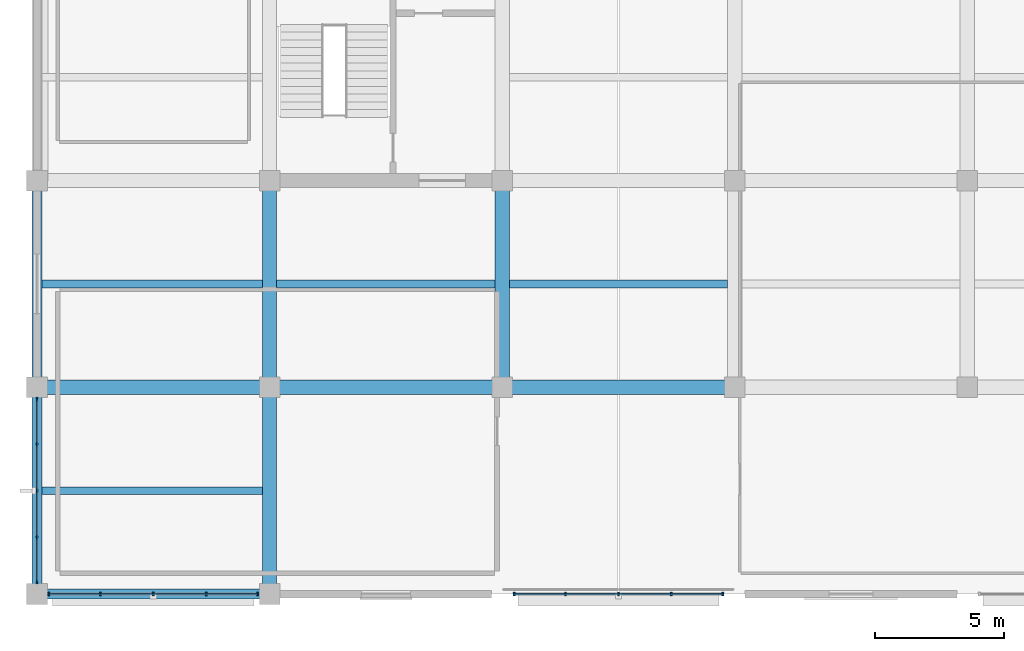
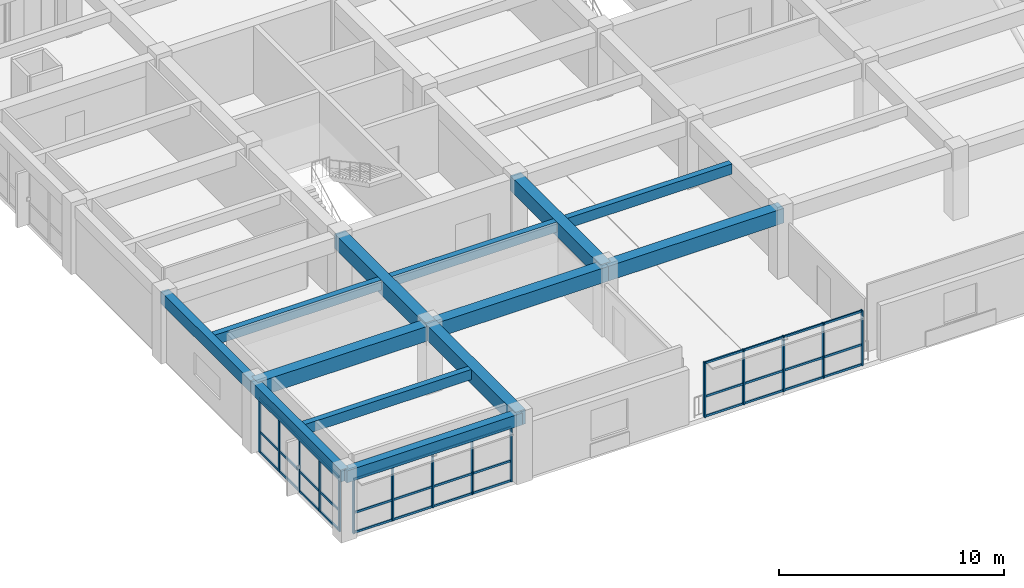
# One storey, part 2 of 16: 24 members, 13 beams, 3 elements without a shape of their own.
"""IFC4 building model written with IfcOpenShell, lengths in metres."""

from ifc_helpers import new_model, si_unit, direction, frame, origin, origin_2d, place, context, subcontext, project, spatial, rectangle, extrude, material, material_profile, profile_set, type_object, element, aggregate, save


model = new_model("IFC4")

# Units and contexts
model_context = context("Model", 3, precision=1e-05, world=origin(), true_north=direction((0.0, 1.0)))
body_context = subcontext(model_context, "Body", "Model", "MODEL_VIEW")
ifc_project = project(units=[si_unit("LENGTHUNIT", "METRE"), si_unit("AREAUNIT", "SQUARE_METRE"), si_unit("VOLUMEUNIT", "CUBIC_METRE"), si_unit("PLANEANGLEUNIT", "RADIAN"), si_unit("MASSUNIT", "GRAM", prefix="KILO")], contexts=[model_context])

# Site, building, storey
site_placement = place(None, origin())
site = spatial("IfcSite", under=ifc_project, at=site_placement, CompositionType="ELEMENT")
building_placement = place(site_placement, origin())
building = spatial("IfcBuilding", under=site, at=building_placement, Name="Zaverband Oceanarium and Marine Research Institute", CompositionType="ELEMENT")
storey_placement = place(building_placement, frame((0.0, 0.0, 37.5)))
storey = spatial("IfcBuildingStorey", under=building, at=storey_placement, Name="L09", CompositionType="ELEMENT", Elevation=37.5)

# Beams
ifc_material_1 = material(Name="Concrete C40/50", Category="concrete")
ifc_material_profile_1 = material_profile(ifc_material_1, rectangle(XDim=0.550048828125, YDim=0.800048828125, at=origin_2d()), Name="RC550x800")
ifc_profile_set_1 = profile_set([ifc_material_profile_1], Name="Concrete C40/50")
beam_type_1 = type_object("IfcBeamType", Name="BM-550x800", PredefinedType="BEAM", material=ifc_profile_set_1)
for number, where, z_axis, x_axis, name in (
    (1, (9.0, 72.0, 3.25), (1.0, 0.0, 0.0), (0.0, 1.0, 0.0), "Primary floor girder BM-550x800"),
    (2, (18.0, 72.0, 3.25), (1.0, 0.0, 0.0), (0.0, 1.0, 0.0), "Primary floor girder BM-550x800"),
    (3, (27.0, 72.0, 3.25), (1.0, 0.0, 0.0), (0.0, 1.0, 0.0), "Primary floor girder BM-550x800"),
):
    element("IfcBeam", number, at=place(storey_placement, frame(where, z_axis=z_axis, x_axis=x_axis)), inside=storey, type_object=beam_type_1, Name=name, PredefinedType="BEAM", context=body_context, shape_type="SweptSolid", body=[
        extrude(rectangle(XDim=0.550048828125, YDim=0.800048828125, at=origin_2d()), origin(), (0.0, 0.0, 1.0), 9.0),
    ])
for number, where, z_axis, x_axis, name in (
    (4, (18.0, 64.0, 3.25), (0.0, 1.0, 0.0), (-1.0, 0.0, 0.0), "Primary floor girder BM-550x800"),
    (5, (18.0, 72.0, 3.25), (0.0, 1.0, 0.0), (-1.0, 0.0, 0.0), "Primary floor girder BM-550x800"),
    (6, (27.0, 72.0, 3.25), (0.0, 1.0, 0.0), (-1.0, 0.0, 0.0), "Primary floor girder BM-550x800"),
):
    element("IfcBeam", number, at=place(storey_placement, frame(where, z_axis=z_axis, x_axis=x_axis)), inside=storey, type_object=beam_type_1, Name=name, PredefinedType="BEAM", context=body_context, shape_type="SweptSolid", body=[
        extrude(rectangle(XDim=0.550048828125, YDim=0.800048828125, at=origin_2d()), origin(), (0.0, 0.0, 1.0), 8.0),
    ])
ifc_material_profile_2 = material_profile(ifc_material_1, rectangle(XDim=0.300048828125, YDim=0.550048828125, at=origin_2d()), Name="RC300x550")
ifc_profile_set_2 = profile_set([ifc_material_profile_2], Name="Concrete C40/50")
beam_type_2 = type_object("IfcBeamType", Name="JST-300x550", PredefinedType="JOIST", material=ifc_profile_set_2)
for number, where, z_axis, x_axis, name in (
    (7, (9.199951171875, 68.0, 3.375), (1.0, 0.0, 0.0), (0.0, 1.0, 0.0), "Secondary floor joist JST-300x550"),
    (8, (9.199951171875, 76.0, 3.375), (1.0, 0.0, 0.0), (0.0, 1.0, 0.0), "Secondary floor joist JST-300x550"),
):
    element("IfcBeam", number, at=place(storey_placement, frame(where, z_axis=z_axis, x_axis=x_axis)), inside=storey, type_object=beam_type_2, Name=name, PredefinedType="JOIST", context=body_context, shape_type="SweptSolid", body=[
        extrude(rectangle(XDim=0.300048828125, YDim=0.550048828125, at=origin_2d()), origin(), (0.0, 0.0, 1.0), 8.525146484375),
    ])
for number, where, z_axis, x_axis, name in (
    (9, (18.27490234375, 76.0, 3.375), (1.0, 0.0, 0.0), (0.0, 1.0, 0.0), "Secondary floor joist JST-300x550"),
    (10, (27.27490234375, 76.0, 3.375), (1.0, 0.0, 0.0), (0.0, 1.0, 0.0), "Secondary floor joist JST-300x550"),
):
    element("IfcBeam", number, at=place(storey_placement, frame(where, z_axis=z_axis, x_axis=x_axis)), inside=storey, type_object=beam_type_2, Name=name, PredefinedType="JOIST", context=body_context, shape_type="SweptSolid", body=[
        extrude(rectangle(XDim=0.300048828125, YDim=0.550048828125, at=origin_2d()), origin(), (0.0, 0.0, 1.0), 8.4501953125),
    ])

# Curtain wall, members
ifc_material_2 = material(Name="Thermally broken anodized aluminium and solar-control glass", Category="aluminium")
curtain_wall_type = type_object("IfcCurtainWallType", Name="CW-UNIT-1800", PredefinedType="NOTDEFINED", material=ifc_material_2)
curtain_wall_1_placement = place(storey_placement, origin())
curtain_wall_1 = element("IfcCurtainWall", 11, at=curtain_wall_1_placement, inside=storey, type_object=curtain_wall_type, Name="Unitised glazed curtain wall CW-103", PredefinedType="NOTDEFINED")
ifc_material_3 = material(Name="Thermally broken anodized aluminium", Category="aluminium")
ifc_material_profile_3 = material_profile(ifc_material_3, rectangle(XDim=0.070068359375, YDim=0.14990234375, at=origin_2d()), Name="AL-MUL-70x150")
ifc_profile_set_3 = profile_set([ifc_material_profile_3], Name="Thermally broken anodized aluminium")
member_type_1 = type_object("IfcMemberType", Name="MUL-70x150", PredefinedType="MULLION", material=ifc_profile_set_3)
member_1_placement = place(storey_placement, frame((9.465087890625, 64.0, 0.0), z_axis=(0.0, 0.0, 1.0), x_axis=(1.0, 0.0, 0.0)))
member_1 = element("IfcMember", 12, at=member_1_placement, type_object=member_type_1, Name="Curtain wall vertical mullion MUL-70x150", PredefinedType="MULLION", context=body_context, shape_type="SweptSolid", body=[
    extrude(rectangle(XDim=0.070068359375, YDim=0.14990234375, at=origin_2d()), origin(), (0.0, 0.0, 1.0), 2.97998046875),
])
member_2_placement = place(storey_placement, frame((11.452392578125, 64.0, 0.0), z_axis=(0.0, 0.0, 1.0), x_axis=(1.0, 0.0, 0.0)))
member_2 = element("IfcMember", 13, at=member_2_placement, type_object=member_type_1, Name="Curtain wall vertical mullion MUL-70x150", PredefinedType="MULLION", context=body_context, shape_type="SweptSolid", body=[
    extrude(rectangle(XDim=0.070068359375, YDim=0.14990234375, at=origin_2d()), origin(), (0.0, 0.0, 1.0), 2.97998046875),
])
member_3_placement = place(storey_placement, frame((13.5, 64.0, 0.0), z_axis=(0.0, 0.0, 1.0), x_axis=(1.0, 0.0, 0.0)))
member_3 = element("IfcMember", 14, at=member_3_placement, type_object=member_type_1, Name="Curtain wall vertical mullion MUL-70x150", PredefinedType="MULLION", context=body_context, shape_type="SweptSolid", body=[
    extrude(rectangle(XDim=0.070068359375, YDim=0.14990234375, at=origin_2d()), origin(), (0.0, 0.0, 1.0), 2.97998046875),
])
member_4_placement = place(storey_placement, frame((15.547607421875, 64.0, 0.0), z_axis=(0.0, 0.0, 1.0), x_axis=(1.0, 0.0, 0.0)))
member_4 = element("IfcMember", 15, at=member_4_placement, type_object=member_type_1, Name="Curtain wall vertical mullion MUL-70x150", PredefinedType="MULLION", context=body_context, shape_type="SweptSolid", body=[
    extrude(rectangle(XDim=0.070068359375, YDim=0.14990234375, at=origin_2d()), origin(), (0.0, 0.0, 1.0), 2.97998046875),
])
member_5_placement = place(storey_placement, frame((17.534912109375, 64.0, 0.0), z_axis=(0.0, 0.0, 1.0), x_axis=(1.0, 0.0, 0.0)))
member_5 = element("IfcMember", 16, at=member_5_placement, type_object=member_type_1, Name="Curtain wall vertical mullion MUL-70x150", PredefinedType="MULLION", context=body_context, shape_type="SweptSolid", body=[
    extrude(rectangle(XDim=0.070068359375, YDim=0.14990234375, at=origin_2d()), origin(), (0.0, 0.0, 1.0), 2.97998046875),
])

curtain_wall_2_placement = place(storey_placement, origin())
curtain_wall_2 = element("IfcCurtainWall", 17, at=curtain_wall_2_placement, inside=storey, type_object=curtain_wall_type, Name="Unitised glazed curtain wall CW-104", PredefinedType="NOTDEFINED")
member_6_placement = place(storey_placement, frame((27.465087890625, 64.0, 0.0), z_axis=(0.0, 0.0, 1.0), x_axis=(1.0, 0.0, 0.0)))
member_6 = element("IfcMember", 18, at=member_6_placement, type_object=member_type_1, Name="Curtain wall vertical mullion MUL-70x150", PredefinedType="MULLION", context=body_context, shape_type="SweptSolid", body=[
    extrude(rectangle(XDim=0.070068359375, YDim=0.14990234375, at=origin_2d()), origin(), (0.0, 0.0, 1.0), 2.97998046875),
])
member_7_placement = place(storey_placement, frame((29.452392578125, 64.0, 0.0), z_axis=(0.0, 0.0, 1.0), x_axis=(1.0, 0.0, 0.0)))
member_7 = element("IfcMember", 19, at=member_7_placement, type_object=member_type_1, Name="Curtain wall vertical mullion MUL-70x150", PredefinedType="MULLION", context=body_context, shape_type="SweptSolid", body=[
    extrude(rectangle(XDim=0.070068359375, YDim=0.14990234375, at=origin_2d()), origin(), (0.0, 0.0, 1.0), 2.97998046875),
])
member_8_placement = place(storey_placement, frame((31.5, 64.0, 0.0), z_axis=(0.0, 0.0, 1.0), x_axis=(1.0, 0.0, 0.0)))
member_8 = element("IfcMember", 20, at=member_8_placement, type_object=member_type_1, Name="Curtain wall vertical mullion MUL-70x150", PredefinedType="MULLION", context=body_context, shape_type="SweptSolid", body=[
    extrude(rectangle(XDim=0.070068359375, YDim=0.14990234375, at=origin_2d()), origin(), (0.0, 0.0, 1.0), 2.97998046875),
])
member_9_placement = place(storey_placement, frame((33.547607421875, 64.0, 0.0), z_axis=(0.0, 0.0, 1.0), x_axis=(1.0, 0.0, 0.0)))
member_9 = element("IfcMember", 21, at=member_9_placement, type_object=member_type_1, Name="Curtain wall vertical mullion MUL-70x150", PredefinedType="MULLION", context=body_context, shape_type="SweptSolid", body=[
    extrude(rectangle(XDim=0.070068359375, YDim=0.14990234375, at=origin_2d()), origin(), (0.0, 0.0, 1.0), 2.97998046875),
])
member_10_placement = place(storey_placement, frame((35.534912109375, 64.0, 0.0), z_axis=(0.0, 0.0, 1.0), x_axis=(1.0, 0.0, 0.0)))
member_10 = element("IfcMember", 22, at=member_10_placement, type_object=member_type_1, Name="Curtain wall vertical mullion MUL-70x150", PredefinedType="MULLION", context=body_context, shape_type="SweptSolid", body=[
    extrude(rectangle(XDim=0.070068359375, YDim=0.14990234375, at=origin_2d()), origin(), (0.0, 0.0, 1.0), 2.97998046875),
])

curtain_wall_3_placement = place(storey_placement, origin())
curtain_wall_3 = element("IfcCurtainWall", 23, at=curtain_wall_3_placement, inside=storey, type_object=curtain_wall_type, Name="Unitised glazed curtain wall CW-109", PredefinedType="NOTDEFINED")
member_11_placement = place(storey_placement, frame((9.0, 64.465087890625, 0.0), z_axis=(0.0, 0.0, 1.0), x_axis=(1.0, 0.0, 0.0)))
member_11 = element("IfcMember", 24, at=member_11_placement, type_object=member_type_1, Name="Curtain wall vertical mullion MUL-70x150", PredefinedType="MULLION", context=body_context, shape_type="SweptSolid", body=[
    extrude(rectangle(XDim=0.070068359375, YDim=0.14990234375, at=origin_2d()), origin(), (0.0, 0.0, 1.0), 2.97998046875),
])
member_12_placement = place(storey_placement, frame((9.0, 66.202392578125, 0.0), z_axis=(0.0, 0.0, 1.0), x_axis=(1.0, 0.0, 0.0)))
member_12 = element("IfcMember", 25, at=member_12_placement, type_object=member_type_1, Name="Curtain wall vertical mullion MUL-70x150", PredefinedType="MULLION", context=body_context, shape_type="SweptSolid", body=[
    extrude(rectangle(XDim=0.070068359375, YDim=0.14990234375, at=origin_2d()), origin(), (0.0, 0.0, 1.0), 2.97998046875),
])
member_13_placement = place(storey_placement, frame((9.0, 68.0, 0.0), z_axis=(0.0, 0.0, 1.0), x_axis=(1.0, 0.0, 0.0)))
member_13 = element("IfcMember", 26, at=member_13_placement, type_object=member_type_1, Name="Curtain wall vertical mullion MUL-70x150", PredefinedType="MULLION", context=body_context, shape_type="SweptSolid", body=[
    extrude(rectangle(XDim=0.070068359375, YDim=0.14990234375, at=origin_2d()), origin(), (0.0, 0.0, 1.0), 2.97998046875),
])
member_14_placement = place(storey_placement, frame((9.0, 69.797607421875, 0.0), z_axis=(0.0, 0.0, 1.0), x_axis=(1.0, 0.0, 0.0)))
member_14 = element("IfcMember", 27, at=member_14_placement, type_object=member_type_1, Name="Curtain wall vertical mullion MUL-70x150", PredefinedType="MULLION", context=body_context, shape_type="SweptSolid", body=[
    extrude(rectangle(XDim=0.070068359375, YDim=0.14990234375, at=origin_2d()), origin(), (0.0, 0.0, 1.0), 2.97998046875),
])
member_15_placement = place(storey_placement, frame((9.0, 71.534912109375, 0.0), z_axis=(0.0, 0.0, 1.0), x_axis=(1.0, 0.0, 0.0)))
member_15 = element("IfcMember", 28, at=member_15_placement, type_object=member_type_1, Name="Curtain wall vertical mullion MUL-70x150", PredefinedType="MULLION", context=body_context, shape_type="SweptSolid", body=[
    extrude(rectangle(XDim=0.070068359375, YDim=0.14990234375, at=origin_2d()), origin(), (0.0, 0.0, 1.0), 2.97998046875),
])

# Beams
ifc_material_profile_4 = material_profile(ifc_material_1, rectangle(XDim=0.39990234375, YDim=0.64990234375, at=origin_2d()), Name="RC400x650")
ifc_profile_set_4 = profile_set([ifc_material_profile_4], Name="Concrete C40/50")
beam_type_3 = type_object("IfcBeamType", Name="SPN-400x650", PredefinedType="SPANDREL", material=ifc_profile_set_4)
beam_placement = place(storey_placement, frame((9.0, 64.0, 3.324951171875), z_axis=(1.0, 0.0, 0.0), x_axis=(0.0, 1.0, 0.0)))
element("IfcBeam", 29, at=beam_placement, inside=storey, type_object=beam_type_3, Name="Perimeter spandrel beam SPN-400x650", PredefinedType="SPANDREL", context=body_context, shape_type="SweptSolid", body=[
    extrude(rectangle(XDim=0.39990234375, YDim=0.64990234375, at=origin_2d()), origin(), (0.0, 0.0, 1.0), 9.0),
])
for number, where, z_axis, x_axis, name in (
    (30, (9.0, 64.0, 3.324951171875), (0.0, 1.0, 0.0), (-1.0, 0.0, 0.0), "Perimeter spandrel beam SPN-400x650"),
    (31, (9.0, 72.0, 3.324951171875), (0.0, 1.0, 0.0), (-1.0, 0.0, 0.0), "Perimeter spandrel beam SPN-400x650"),
):
    element("IfcBeam", number, at=place(storey_placement, frame(where, z_axis=z_axis, x_axis=x_axis)), inside=storey, type_object=beam_type_3, Name=name, PredefinedType="SPANDREL", context=body_context, shape_type="SweptSolid", body=[
        extrude(rectangle(XDim=0.39990234375, YDim=0.64990234375, at=origin_2d()), origin(), (0.0, 0.0, 1.0), 8.0),
    ])

# Member
ifc_material_profile_5 = material_profile(ifc_material_3, rectangle(XDim=0.070068359375, YDim=0.114990234375, at=origin_2d()), Name="AL-TRN-70x115")
ifc_profile_set_5 = profile_set([ifc_material_profile_5], Name="Thermally broken anodized aluminium")
member_type_2 = type_object("IfcMemberType", Name="TRN-70x115", PredefinedType="USERDEFINED", material=ifc_profile_set_5)
member_16_placement = place(storey_placement, frame((9.465087890625, 64.0, 0.050048828125), z_axis=(1.0, 0.0, 0.0), x_axis=(0.0, 1.0, 0.0)))
member_16 = element("IfcMember", 32, at=member_16_placement, type_object=member_type_2, Name="Curtain wall horizontal transom TRN-70x115", ObjectType="TRANSOM", PredefinedType="USERDEFINED", context=body_context, shape_type="SweptSolid", body=[
    extrude(rectangle(XDim=0.070068359375, YDim=0.114990234375, at=origin_2d()), origin(), (0.0, 0.0, 1.0), 8.06982421875),
])

member_17_placement = place(storey_placement, frame((9.465087890625, 64.0, 1.123046875), z_axis=(1.0, 0.0, 0.0), x_axis=(0.0, 1.0, 0.0)))
member_17 = element("IfcMember", 33, at=member_17_placement, type_object=member_type_2, Name="Curtain wall horizontal transom TRN-70x115", ObjectType="TRANSOM", PredefinedType="USERDEFINED", context=body_context, shape_type="SweptSolid", body=[
    extrude(rectangle(XDim=0.070068359375, YDim=0.114990234375, at=origin_2d()), origin(), (0.0, 0.0, 1.0), 8.06982421875),
])

member_18_placement = place(storey_placement, frame((9.465087890625, 64.0, 2.929931640625), z_axis=(1.0, 0.0, 0.0), x_axis=(0.0, 1.0, 0.0)))
member_18 = element("IfcMember", 34, at=member_18_placement, type_object=member_type_2, Name="Curtain wall horizontal transom TRN-70x115", ObjectType="TRANSOM", PredefinedType="USERDEFINED", context=body_context, shape_type="SweptSolid", body=[
    extrude(rectangle(XDim=0.070068359375, YDim=0.114990234375, at=origin_2d()), origin(), (0.0, 0.0, 1.0), 8.06982421875),
])

aggregate(curtain_wall_1, [member_1, member_2, member_3, member_4, member_5, member_16, member_17, member_18])

member_19_placement = place(storey_placement, frame((27.465087890625, 64.0, 0.050048828125), z_axis=(1.0, 0.0, 0.0), x_axis=(0.0, 1.0, 0.0)))
member_19 = element("IfcMember", 35, at=member_19_placement, type_object=member_type_2, Name="Curtain wall horizontal transom TRN-70x115", ObjectType="TRANSOM", PredefinedType="USERDEFINED", context=body_context, shape_type="SweptSolid", body=[
    extrude(rectangle(XDim=0.070068359375, YDim=0.114990234375, at=origin_2d()), origin(), (0.0, 0.0, 1.0), 8.06982421875),
])

member_20_placement = place(storey_placement, frame((27.465087890625, 64.0, 1.123046875), z_axis=(1.0, 0.0, 0.0), x_axis=(0.0, 1.0, 0.0)))
member_20 = element("IfcMember", 36, at=member_20_placement, type_object=member_type_2, Name="Curtain wall horizontal transom TRN-70x115", ObjectType="TRANSOM", PredefinedType="USERDEFINED", context=body_context, shape_type="SweptSolid", body=[
    extrude(rectangle(XDim=0.070068359375, YDim=0.114990234375, at=origin_2d()), origin(), (0.0, 0.0, 1.0), 8.06982421875),
])

member_21_placement = place(storey_placement, frame((27.465087890625, 64.0, 2.929931640625), z_axis=(1.0, 0.0, 0.0), x_axis=(0.0, 1.0, 0.0)))
member_21 = element("IfcMember", 37, at=member_21_placement, type_object=member_type_2, Name="Curtain wall horizontal transom TRN-70x115", ObjectType="TRANSOM", PredefinedType="USERDEFINED", context=body_context, shape_type="SweptSolid", body=[
    extrude(rectangle(XDim=0.070068359375, YDim=0.114990234375, at=origin_2d()), origin(), (0.0, 0.0, 1.0), 8.06982421875),
])

aggregate(curtain_wall_2, [member_6, member_7, member_8, member_9, member_10, member_19, member_20, member_21])

member_22_placement = place(storey_placement, frame((9.0, 64.465087890625, 0.050048828125), z_axis=(0.0, 1.0, 0.0), x_axis=(-1.0, 0.0, 0.0)))
member_22 = element("IfcMember", 38, at=member_22_placement, type_object=member_type_2, Name="Curtain wall horizontal transom TRN-70x115", ObjectType="TRANSOM", PredefinedType="USERDEFINED", context=body_context, shape_type="SweptSolid", body=[
    extrude(rectangle(XDim=0.070068359375, YDim=0.114990234375, at=origin_2d()), origin(), (0.0, 0.0, 1.0), 7.06982421875),
])

member_23_placement = place(storey_placement, frame((9.0, 64.465087890625, 1.123046875), z_axis=(0.0, 1.0, 0.0), x_axis=(-1.0, 0.0, 0.0)))
member_23 = element("IfcMember", 39, at=member_23_placement, type_object=member_type_2, Name="Curtain wall horizontal transom TRN-70x115", ObjectType="TRANSOM", PredefinedType="USERDEFINED", context=body_context, shape_type="SweptSolid", body=[
    extrude(rectangle(XDim=0.070068359375, YDim=0.114990234375, at=origin_2d()), origin(), (0.0, 0.0, 1.0), 7.06982421875),
])

member_24_placement = place(storey_placement, frame((9.0, 64.465087890625, 2.929931640625), z_axis=(0.0, 1.0, 0.0), x_axis=(-1.0, 0.0, 0.0)))
member_24 = element("IfcMember", 40, at=member_24_placement, type_object=member_type_2, Name="Curtain wall horizontal transom TRN-70x115", ObjectType="TRANSOM", PredefinedType="USERDEFINED", context=body_context, shape_type="SweptSolid", body=[
    extrude(rectangle(XDim=0.070068359375, YDim=0.114990234375, at=origin_2d()), origin(), (0.0, 0.0, 1.0), 7.06982421875),
])

aggregate(curtain_wall_3, [member_11, member_12, member_13, member_14, member_15, member_22, member_23, member_24])

save(model, "model.ifc")
